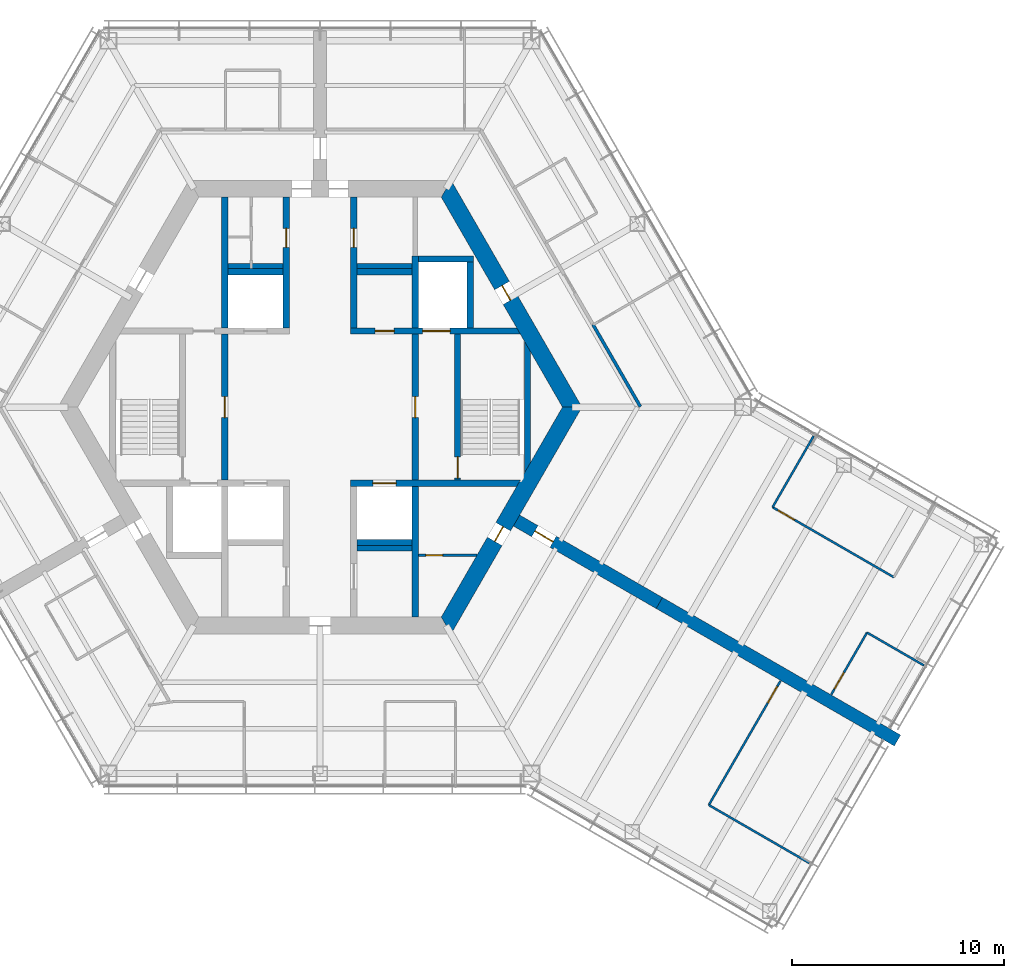
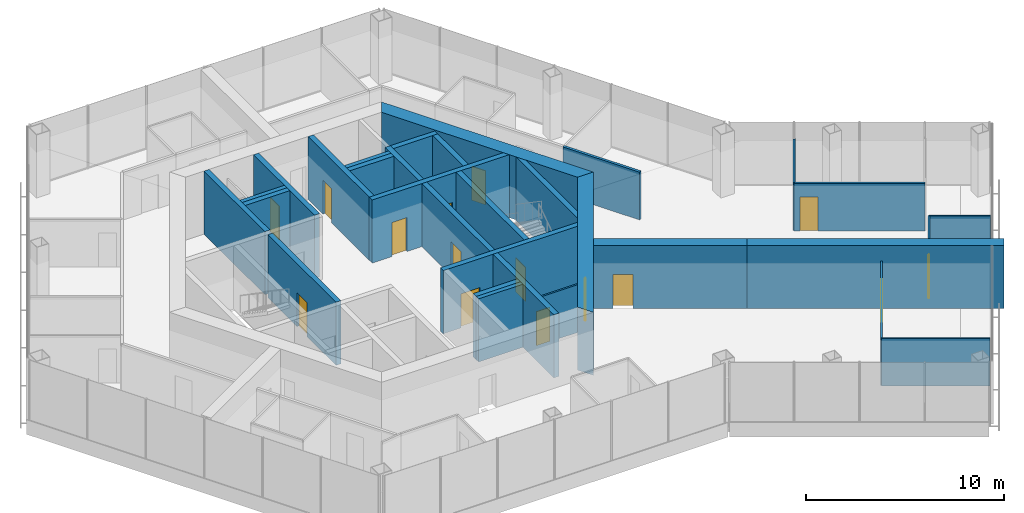
# One storey, part 11 of 16: 31 walls, 15 doors, 15 openings.
"""IFC4 building model written with IfcOpenShell, lengths in metres."""

from ifc_helpers import new_model, si_unit, direction, frame, frame_2d, origin, place, context, subcontext, project, spatial, polyline, rectangle, outline, extrude, material, layer, layer_set, type_object, element, fill, save


model = new_model("IFC4")

# Units and contexts
model_context = context("Model", 3, precision=1e-05, world=origin(), true_north=direction((0.0, 1.0)))
body_context = subcontext(model_context, "Body", "Model", "MODEL_VIEW")
ifc_project = project(units=[si_unit("LENGTHUNIT", "METRE"), si_unit("AREAUNIT", "SQUARE_METRE"), si_unit("VOLUMEUNIT", "CUBIC_METRE"), si_unit("PLANEANGLEUNIT", "RADIAN"), si_unit("MASSUNIT", "GRAM", prefix="KILO")], contexts=[model_context])

# Site, building, storey
site_placement = place(None, origin())
site = spatial("IfcSite", under=ifc_project, at=site_placement, CompositionType="ELEMENT")
building_placement = place(site_placement, origin())
building = spatial("IfcBuilding", under=site, at=building_placement, Name="Kasaneha Research Tower", CompositionType="ELEMENT")
storey_placement = place(building_placement, frame((0.0, 0.0, 259.60009765625)))
storey = spatial("IfcBuildingStorey", under=building, at=storey_placement, Name="L65", CompositionType="ELEMENT", Elevation=259.60009765625)

# Wall, openings, doors
ifc_material_1 = material(Name="Concrete Fc60", Category="concrete")
ifc_layer_1 = layer(ifc_material_1, 0.300048828125)
ifc_layer_set_1 = layer_set([ifc_layer_1], Name="Core internal wall 300 Fc60")
wall_type_1 = type_object("IfcWallType", Name="Core internal wall 300 Fc60", PredefinedType="SHEAR", material=ifc_layer_set_1)
wall_1_placement = place(storey_placement, frame((1.449951171875, 3.60009765625, 0.0), z_axis=(0.0, 0.0, 1.0), x_axis=(1.0, 0.0, 0.0)))
wall_1 = element("IfcWall", 1, at=wall_1_placement, inside=storey, type_object=wall_type_1, Name="Core wall W1E L65", PredefinedType="SHEAR", context=body_context, shape_type="SweptSolid", body=[
    extrude(outline(polyline([(0.0, -0.14990234375), (1.14990234375, -0.14990234375), (2.0498046875, -0.14990234375), (3.39990234375, -0.14990234375), (4.699951171875, -0.14990234375), (8.0185546875, -0.14990234375), (7.84521484375, 0.14990234375), (4.699951171875, 0.14990234375), (3.39990234375, 0.14990234375), (2.0498046875, 0.14990234375), (1.14990234375, 0.14990234375), (0.0, 0.14990234375), (0.0, -0.14990234375)])), origin(), (0.0, 0.0, 1.0), 3.89990234375),
])
opening_1_placement = place(wall_1_placement, frame((1.14990234375, 0.0, 0.0)))
opening_1 = element("IfcOpeningElement", 2, at=opening_1_placement, cuts=wall_1, Name="Opening L65-D17", PredefinedType="OPENING", context=body_context, shape_type="SweptSolid", body=[
    extrude(rectangle(XDim=0.89990234375, YDim=2.10009765625, at=frame_2d((0.449951171875, 1.050048828125))), frame((0.0, 0.16015625, 0.0), z_axis=(0.0, -1.0, 0.0), x_axis=(1.0, 0.0, 0.0)), (0.0, 0.0, 1.0), 0.320068359375),
])
opening_2_placement = place(wall_1_placement, frame((3.39990234375, 0.0, 0.0)))
opening_2 = element("IfcOpeningElement", 3, at=opening_2_placement, cuts=wall_1, Name="Opening LD-FL1-L65", PredefinedType="OPENING", context=body_context, shape_type="SweptSolid", body=[
    extrude(rectangle(XDim=1.300048828125, YDim=2.10009765625, at=frame_2d((0.64990234375, 1.050048828125))), frame((0.0, 0.16015625, 0.0), z_axis=(0.0, -1.0, 0.0), x_axis=(1.0, 0.0, 0.0)), (0.0, 0.0, 1.0), 0.320068359375),
])
ifc_material_2 = material(Name="Steel", Category="steel")
door_type_1 = type_object("IfcDoorType", Name="Lift landing door 1300x2100", OperationType="DOUBLE_DOOR_SLIDING", PredefinedType="DOOR", material=ifc_material_2)
door_1_placement = place(opening_2_placement, origin())
door_1 = element("IfcDoor", 4, at=door_1_placement, inside=storey, type_object=door_type_1, Name="Landing door FL1 LD-FL1-L65", OperationType="DOUBLE_DOOR_SLIDING", OverallHeight=2.10009765625, OverallWidth=1.300048828125, PredefinedType="DOOR", context=body_context, shape_type="SweptSolid", body=[
    extrude(rectangle(XDim=1.300048828125, YDim=2.10009765625, at=frame_2d((0.64990234375, 1.050048828125))), frame((0.0, 0.02490234375, 0.0), z_axis=(0.0, -1.0, 0.0), x_axis=(1.0, 0.0, 0.0)), (0.0, 0.0, 1.0), 0.050048828125),
])
fill(opening_2, door_1)
ifc_material_3 = material(Name="Steel", Category="steel")
door_type_2 = type_object("IfcDoorType", Name="Shaft room door FD60 900x2100", OperationType="NOTDEFINED", PredefinedType="DOOR", material=ifc_material_3)
door_2_placement = place(opening_1_placement, origin())
door_2 = element("IfcDoor", 5, at=door_2_placement, inside=storey, type_object=door_type_2, Name="Archive store door L65-D17", OperationType="SINGLE_SWING_LEFT", OverallHeight=2.10009765625, OverallWidth=0.89990234375, PredefinedType="DOOR", context=body_context, shape_type="SweptSolid", body=[
    extrude(rectangle(XDim=0.89990234375, YDim=2.10009765625, at=frame_2d((0.449951171875, 1.050048828125))), frame((0.0, 0.02490234375, 0.0), z_axis=(0.0, -1.0, 0.0), x_axis=(1.0, 0.0, 0.0)), (0.0, 0.0, 1.0), 0.050048828125),
])
fill(opening_1, door_2)

# Wall, opening, door
wall_2_placement = place(storey_placement, frame((1.449951171875, -3.60009765625, 0.0), z_axis=(0.0, 0.0, 1.0), x_axis=(1.0, 0.0, 0.0)))
wall_2 = element("IfcWall", 6, at=wall_2_placement, inside=storey, type_object=wall_type_1, Name="Core wall W2E L65", PredefinedType="SHEAR", context=body_context, shape_type="SweptSolid", body=[
    extrude(outline(polyline([(0.0, -0.14990234375), (1.050048828125, -0.14990234375), (2.150146484375, -0.14990234375), (7.84521484375, -0.14990234375), (8.0185546875, 0.14990234375), (2.150146484375, 0.14990234375), (1.050048828125, 0.14990234375), (0.0, 0.14990234375), (0.0, -0.14990234375)])), origin(), (0.0, 0.0, 1.0), 3.89990234375),
])
opening_3_placement = place(wall_2_placement, frame((1.050048828125, 0.0, 0.0)))
opening_3 = element("IfcOpeningElement", 7, at=opening_3_placement, cuts=wall_2, Name="Opening LD-LH3-L65", PredefinedType="OPENING", context=body_context, shape_type="SweptSolid", body=[
    extrude(rectangle(XDim=1.10009765625, YDim=2.10009765625, at=frame_2d((0.550048828125, 1.050048828125))), frame((0.0, 0.16015625, 0.0), z_axis=(0.0, -1.0, 0.0), x_axis=(1.0, 0.0, 0.0)), (0.0, 0.0, 1.0), 0.320068359375),
])
ifc_material_4 = material(Name="Steel", Category="steel")
door_type_3 = type_object("IfcDoorType", Name="Lift landing door 1100x2100", OperationType="DOUBLE_DOOR_SLIDING", PredefinedType="DOOR", material=ifc_material_4)
door_3_placement = place(opening_3_placement, origin())
door_3 = element("IfcDoor", 8, at=door_3_placement, inside=storey, type_object=door_type_3, Name="Landing door LH3 LD-LH3-L65", OperationType="DOUBLE_DOOR_SLIDING", OverallHeight=2.10009765625, OverallWidth=1.10009765625, PredefinedType="DOOR", context=body_context, shape_type="SweptSolid", body=[
    extrude(rectangle(XDim=1.10009765625, YDim=2.10009765625, at=frame_2d((0.550048828125, 1.050048828125))), frame((0.0, 0.02490234375, 0.0), z_axis=(0.0, -1.0, 0.0), x_axis=(1.0, 0.0, 0.0)), (0.0, 0.0, 1.0), 0.050048828125),
])
fill(opening_3, door_3)

wall_3_placement = place(storey_placement, frame((-1.60009765625, 3.75, 0.0), z_axis=(0.0, 0.0, 1.0), x_axis=(0.0, 1.0, 0.0)))
wall_3 = element("IfcWall", 9, at=wall_3_placement, inside=storey, type_object=wall_type_1, Name="Core wall CNW L65", PredefinedType="SHEAR", context=body_context, shape_type="SweptSolid", body=[
    extrude(rectangle(XDim=6.175048828125, YDim=0.300048828125, at=frame_2d((3.08740234375, 0.0))), origin(), (0.0, 0.0, 1.0), 3.89990234375),
])
opening_4_placement = place(wall_3_placement, frame((3.800048828125, 0.0, 0.0)))
opening_4 = element("IfcOpeningElement", 10, at=opening_4_placement, cuts=wall_3, Name="Opening L65-D13", PredefinedType="OPENING", context=body_context, shape_type="SweptSolid", body=[
    extrude(rectangle(XDim=0.89990234375, YDim=2.10009765625, at=frame_2d((0.449951171875, 1.050048828125))), frame((0.0, 0.16015625, 0.0), z_axis=(0.0, -1.0, 0.0), x_axis=(1.0, 0.0, 0.0)), (0.0, 0.0, 1.0), 0.320068359375),
])
ifc_material_5 = material(Name="Steel", Category="steel")
door_type_4 = type_object("IfcDoorType", Name="Toilet door FD20 900x2100", OperationType="NOTDEFINED", PredefinedType="DOOR", material=ifc_material_5)
door_4_placement = place(opening_4_placement, origin())
door_4 = element("IfcDoor", 11, at=door_4_placement, inside=storey, type_object=door_type_4, Name="Men's WC door L65-D13", OperationType="SINGLE_SWING_LEFT", OverallHeight=2.10009765625, OverallWidth=0.89990234375, PredefinedType="DOOR", context=body_context, shape_type="SweptSolid", body=[
    extrude(rectangle(XDim=0.89990234375, YDim=2.10009765625, at=frame_2d((0.449951171875, 1.050048828125))), frame((0.0, 0.02490234375, 0.0), z_axis=(0.0, -1.0, 0.0), x_axis=(1.0, 0.0, 0.0)), (0.0, 0.0, 1.0), 0.050048828125),
])
fill(opening_4, door_4)

wall_4_placement = place(storey_placement, frame((1.60009765625, 3.75, 0.0), z_axis=(0.0, 0.0, 1.0), x_axis=(0.0, 1.0, 0.0)))
wall_4 = element("IfcWall", 12, at=wall_4_placement, inside=storey, type_object=wall_type_1, Name="Core wall CNE L65", PredefinedType="SHEAR", context=body_context, shape_type="SweptSolid", body=[
    extrude(rectangle(XDim=6.175048828125, YDim=0.300048828125, at=frame_2d((3.08740234375, 0.0))), origin(), (0.0, 0.0, 1.0), 3.89990234375),
])
opening_5_placement = place(wall_4_placement, frame((3.800048828125, 0.0, 0.0)))
opening_5 = element("IfcOpeningElement", 13, at=opening_5_placement, cuts=wall_4, Name="Opening L65-D14", PredefinedType="OPENING", context=body_context, shape_type="SweptSolid", body=[
    extrude(rectangle(XDim=0.89990234375, YDim=2.10009765625, at=frame_2d((0.449951171875, 1.050048828125))), frame((0.0, 0.16015625, 0.0), z_axis=(0.0, -1.0, 0.0), x_axis=(1.0, 0.0, 0.0)), (0.0, 0.0, 1.0), 0.320068359375),
])
door_5_placement = place(opening_5_placement, origin())
door_5 = element("IfcDoor", 14, at=door_5_placement, inside=storey, type_object=door_type_4, Name="Women's WC door L65-D14", OperationType="SINGLE_SWING_LEFT", OverallHeight=2.10009765625, OverallWidth=0.89990234375, PredefinedType="DOOR", context=body_context, shape_type="SweptSolid", body=[
    extrude(rectangle(XDim=0.89990234375, YDim=2.10009765625, at=frame_2d((0.449951171875, 1.050048828125))), frame((0.0, 0.02490234375, 0.0), z_axis=(0.0, -1.0, 0.0), x_axis=(1.0, 0.0, 0.0)), (0.0, 0.0, 1.0), 0.050048828125),
])
fill(opening_5, door_5)

wall_5_placement = place(storey_placement, frame((-4.5, -3.449951171875, 0.0), z_axis=(0.0, 0.0, 1.0), x_axis=(0.0, 1.0, 0.0)))
wall_5 = element("IfcWall", 15, at=wall_5_placement, inside=storey, type_object=wall_type_1, Name="Core wall LBW L65", PredefinedType="SHEAR", context=body_context, shape_type="SweptSolid", body=[
    extrude(rectangle(XDim=6.89990234375, YDim=0.300048828125, at=frame_2d((3.449951171875, 0.0))), origin(), (0.0, 0.0, 1.0), 3.89990234375),
])
opening_6_placement = place(wall_5_placement, frame((2.949951171875, 0.0, 0.0)))
opening_6 = element("IfcOpeningElement", 16, at=opening_6_placement, cuts=wall_5, Name="Opening L65-D09", PredefinedType="OPENING", context=body_context, shape_type="SweptSolid", body=[
    extrude(rectangle(XDim=1.0, YDim=2.10009765625, at=frame_2d((0.5, 1.050048828125))), frame((0.0, 0.16015625, 0.0), z_axis=(0.0, -1.0, 0.0), x_axis=(1.0, 0.0, 0.0)), (0.0, 0.0, 1.0), 0.320068359375),
])
ifc_material_6 = material(Name="Steel", Category="steel")
door_type_5 = type_object("IfcDoorType", Name="Specified fire door FD60 1000x2100", OperationType="NOTDEFINED", PredefinedType="DOOR", material=ifc_material_6)
door_6_placement = place(opening_6_placement, origin())
door_6 = element("IfcDoor", 17, at=door_6_placement, inside=storey, type_object=door_type_5, Name="Lift lobby door west L65-D09", OperationType="SINGLE_SWING_LEFT", OverallHeight=2.10009765625, OverallWidth=1.0, PredefinedType="DOOR", context=body_context, shape_type="SweptSolid", body=[
    extrude(rectangle(XDim=1.0, YDim=2.10009765625, at=frame_2d((0.5, 1.050048828125))), frame((0.0, 0.02490234375, 0.0), z_axis=(0.0, -1.0, 0.0), x_axis=(1.0, 0.0, 0.0)), (0.0, 0.0, 1.0), 0.050048828125),
])
fill(opening_6, door_6)

wall_6_placement = place(storey_placement, frame((4.5, -3.449951171875, 0.0), z_axis=(0.0, 0.0, 1.0), x_axis=(0.0, 1.0, 0.0)))
wall_6 = element("IfcWall", 18, at=wall_6_placement, inside=storey, type_object=wall_type_1, Name="Core wall LBE L65", PredefinedType="SHEAR", context=body_context, shape_type="SweptSolid", body=[
    extrude(rectangle(XDim=6.89990234375, YDim=0.300048828125, at=frame_2d((3.449951171875, 0.0))), origin(), (0.0, 0.0, 1.0), 3.89990234375),
])
opening_7_placement = place(wall_6_placement, frame((2.949951171875, 0.0, 0.0)))
opening_7 = element("IfcOpeningElement", 19, at=opening_7_placement, cuts=wall_6, Name="Opening L65-D08", PredefinedType="OPENING", context=body_context, shape_type="SweptSolid", body=[
    extrude(rectangle(XDim=1.0, YDim=2.10009765625, at=frame_2d((0.5, 1.050048828125))), frame((0.0, 0.16015625, 0.0), z_axis=(0.0, -1.0, 0.0), x_axis=(1.0, 0.0, 0.0)), (0.0, 0.0, 1.0), 0.320068359375),
])
door_7_placement = place(opening_7_placement, origin())
door_7 = element("IfcDoor", 20, at=door_7_placement, inside=storey, type_object=door_type_5, Name="Lift lobby door east L65-D08", OperationType="SINGLE_SWING_LEFT", OverallHeight=2.10009765625, OverallWidth=1.0, PredefinedType="DOOR", context=body_context, shape_type="SweptSolid", body=[
    extrude(rectangle(XDim=1.0, YDim=2.10009765625, at=frame_2d((0.5, 1.050048828125))), frame((0.0, 0.02490234375, 0.0), z_axis=(0.0, -1.0, 0.0), x_axis=(1.0, 0.0, 0.0)), (0.0, 0.0, 1.0), 0.050048828125),
])
fill(opening_7, door_7)

wall_7_placement = place(storey_placement, frame((6.5, -3.449951171875, 0.0), z_axis=(0.0, 0.0, 1.0), x_axis=(0.0, 1.0, 0.0)))
wall_7 = element("IfcWall", 21, at=wall_7_placement, inside=storey, type_object=wall_type_1, Name="Core wall ANE L65", PredefinedType="SHEAR", context=body_context, shape_type="SweptSolid", body=[
    extrude(rectangle(XDim=6.89990234375, YDim=0.300048828125, at=frame_2d((3.449951171875, 0.0))), origin(), (0.0, 0.0, 1.0), 3.89990234375),
])
opening_8_placement = place(wall_7_placement, frame((0.10009765625, 0.0, 0.0)))
opening_8 = element("IfcOpeningElement", 22, at=opening_8_placement, cuts=wall_7, Name="Opening L65-D10", PredefinedType="OPENING", context=body_context, shape_type="SweptSolid", body=[
    extrude(rectangle(XDim=1.0, YDim=2.10009765625, at=frame_2d((0.5, 1.050048828125))), frame((0.0, 0.16015625, 0.0), z_axis=(0.0, -1.0, 0.0), x_axis=(1.0, 0.0, 0.0)), (0.0, 0.0, 1.0), 0.320068359375),
])
door_8_placement = place(opening_8_placement, origin())
door_8 = element("IfcDoor", 23, at=door_8_placement, inside=storey, type_object=door_type_5, Name="Stair 1 door L65-D10", OperationType="SINGLE_SWING_LEFT", OverallHeight=2.10009765625, OverallWidth=1.0, PredefinedType="DOOR", context=body_context, shape_type="SweptSolid", body=[
    extrude(rectangle(XDim=1.0, YDim=2.10009765625, at=frame_2d((0.5, 1.050048828125))), frame((0.0, 0.02490234375, 0.0), z_axis=(0.0, -1.0, 0.0), x_axis=(1.0, 0.0, 0.0)), (0.0, 0.0, 1.0), 0.050048828125),
])
fill(opening_8, door_8)

# Walls
wall_8_placement = place(storey_placement, frame((-4.5, 3.75, 0.0), z_axis=(0.0, 0.0, 1.0), x_axis=(0.0, 1.0, 0.0)))
element("IfcWall", 24, at=wall_8_placement, inside=storey, type_object=wall_type_1, Name="Core wall VNW L65", PredefinedType="SHEAR", context=body_context, shape_type="SweptSolid", body=[
    extrude(rectangle(XDim=6.175048828125, YDim=0.300048828125, at=frame_2d((3.08740234375, 0.0))), origin(), (0.0, 0.0, 1.0), 3.89990234375),
])
wall_9_placement = place(storey_placement, frame((4.5, 3.75, 0.0), z_axis=(0.0, 0.0, 1.0), x_axis=(0.0, 1.0, 0.0)))
element("IfcWall", 25, at=wall_9_placement, inside=storey, type_object=wall_type_1, Name="Core wall FNE L65", PredefinedType="SHEAR", context=body_context, shape_type="SweptSolid", body=[
    extrude(rectangle(XDim=3.39990234375, YDim=0.300048828125, at=frame_2d((1.699951171875, 0.0))), origin(), (0.0, 0.0, 1.0), 3.89990234375),
])
wall_10_placement = place(storey_placement, frame((4.5, -3.75, 0.0), z_axis=(0.0, 0.0, 1.0), x_axis=(0.0, -1.0, 0.0)))
element("IfcWall", 26, at=wall_10_placement, inside=storey, type_object=wall_type_1, Name="Core wall SSE L65", PredefinedType="SHEAR", context=body_context, shape_type="SweptSolid", body=[
    extrude(rectangle(XDim=6.175048828125, YDim=0.300048828125, at=frame_2d((3.08740234375, 0.0))), origin(), (0.0, 0.0, 1.0), 3.89990234375),
])
for number, where, z_axis, x_axis, name in (
    (27, (-4.35009765625, 6.39990234375, 0.0), (0.0, 0.0, 1.0), (1.0, 0.0, 0.0), "Core wall N1N L65"),
    (28, (1.75, 6.39990234375, 0.0), (0.0, 0.0, 1.0), (1.0, 0.0, 0.0), "Core wall N3N L65"),
    (29, (1.75, -6.39990234375, 0.0), (0.0, 0.0, 1.0), (1.0, 0.0, 0.0), "Core wall S3S L65"),
    (30, (4.64990234375, 7.0, 0.0), (0.0, 0.0, 1.0), (1.0, 0.0, 0.0), "Core wall F1N L65"),
):
    element("IfcWall", number, at=place(storey_placement, frame(where, z_axis=z_axis, x_axis=x_axis)), inside=storey, type_object=wall_type_1, Name=name, PredefinedType="SHEAR", context=body_context, shape_type="SweptSolid", body=[
        extrude(rectangle(XDim=2.60009765625, YDim=0.300048828125, at=frame_2d((1.300048828125, 0.0))), origin(), (0.0, 0.0, 1.0), 3.89990234375),
    ])
wall_11_placement = place(storey_placement, frame((7.10009765625, 3.75, 0.0), z_axis=(0.0, 0.0, 1.0), x_axis=(0.0, 1.0, 0.0)))
element("IfcWall", 31, at=wall_11_placement, inside=storey, type_object=wall_type_1, Name="Core wall F1E L65", PredefinedType="SHEAR", context=body_context, shape_type="SweptSolid", body=[
    extrude(rectangle(XDim=3.10009765625, YDim=0.300048828125, at=frame_2d((1.550048828125, 0.0))), origin(), (0.0, 0.0, 1.0), 3.89990234375),
])
wall_12_placement = place(storey_placement, frame((9.807861328125, -2.8623046875, 0.0), z_axis=(0.0, 0.0, 1.0), x_axis=(0.0, 1.0, 0.0)))
element("IfcWall", 32, at=wall_12_placement, inside=storey, type_object=wall_type_1, Name="Core wall STE L65", PredefinedType="SHEAR", context=body_context, shape_type="SweptSolid", body=[
    extrude(outline(polyline([(0.259765625, -0.14990234375), (5.46484375, -0.14990234375), (5.984375, 0.14990234375), (-0.259765625, 0.14990234375), (0.259765625, -0.14990234375)])), origin(), (0.0, 0.0, 1.0), 3.89990234375),
])

# Wall, opening, door
ifc_material_7 = material(Name="Concrete Fc60", Category="concrete")
ifc_layer_2 = layer(ifc_material_7, 0.800048828125)
ifc_layer_set_2 = layer_set([ifc_layer_2], Name="Core wall 800 Fc60")
wall_type_2 = type_object("IfcWallType", Name="Core wall 800 Fc60", PredefinedType="SHEAR", material=ifc_layer_set_2)
wall_13_placement = place(storey_placement, frame((11.92236328125, 0.0, 0.0), z_axis=(0.0, 0.0, 1.0), x_axis=(-0.500004296715, 0.866022923061, 0.0)))
wall_13 = element("IfcWall", 33, at=wall_13_placement, inside=storey, type_object=wall_type_2, Name="Core wall 030 L65", PredefinedType="SHEAR", context=body_context, shape_type="SweptSolid", body=[
    extrude(outline(polyline([(-0.23095703125, -0.39990234375), (5.83544921875, -0.39990234375), (6.635498046875, -0.39990234375), (12.1533203125, -0.39990234375), (11.69140625, 0.39990234375), (6.635498046875, 0.39990234375), (5.83544921875, 0.39990234375), (0.23095703125, 0.39990234375), (-0.23095703125, -0.39990234375)])), origin(), (0.0, 0.0, 1.0), 3.89990234375),
])
opening_9_placement = place(wall_13_placement, frame((5.83544921875, 0.0, 0.0)))
opening_9 = element("IfcOpeningElement", 34, at=opening_9_placement, cuts=wall_13, Name="Opening L65-D04", PredefinedType="OPENING", context=body_context, shape_type="SweptSolid", body=[
    extrude(rectangle(XDim=0.800048828125, YDim=2.10009765625, at=frame_2d((0.39990234375, 1.050048828125))), frame((0.0, 0.41015625, 0.0), z_axis=(0.0, -1.0, 0.0), x_axis=(1.0, 0.0, 0.0)), (0.0, 0.0, 1.0), 0.820068359375),
])
ifc_material_8 = material(Name="Steel", Category="steel")
door_type_6 = type_object("IfcDoorType", Name="Riser access door FD60 800x2100", OperationType="NOTDEFINED", PredefinedType="DOOR", material=ifc_material_8)
door_9_placement = place(opening_9_placement, origin())
door_9 = element("IfcDoor", 35, at=door_9_placement, inside=storey, type_object=door_type_6, Name="Pipe riser door L65-D04", OperationType="SINGLE_SWING_RIGHT", OverallHeight=2.10009765625, OverallWidth=0.800048828125, PredefinedType="DOOR", context=body_context, shape_type="SweptSolid", body=[
    extrude(rectangle(XDim=0.800048828125, YDim=2.10009765625, at=frame_2d((0.39990234375, 1.050048828125))), frame((0.0, 0.02490234375, 0.0), z_axis=(0.0, -1.0, 0.0), x_axis=(1.0, 0.0, 0.0)), (0.0, 0.0, 1.0), 0.050048828125),
])
fill(opening_9, door_9)

wall_14_placement = place(storey_placement, frame((5.961181640625, -10.324951171875, 0.0), z_axis=(0.0, 0.0, 1.0), x_axis=(0.500004296715, 0.866022923061, 0.0)))
wall_14 = element("IfcWall", 36, at=wall_14_placement, inside=storey, type_object=wall_type_2, Name="Core wall 330 L65", PredefinedType="SHEAR", context=body_context, shape_type="SweptSolid", body=[
    extrude(outline(polyline([(-0.23095703125, -0.39990234375), (4.593994140625, -0.39990234375), (5.39404296875, -0.39990234375), (12.1533203125, -0.39990234375), (11.69140625, 0.39990234375), (5.39404296875, 0.39990234375), (4.593994140625, 0.39990234375), (0.23095703125, 0.39990234375), (-0.23095703125, -0.39990234375)])), origin(), (0.0, 0.0, 1.0), 3.89990234375),
])
opening_10_placement = place(wall_14_placement, frame((4.593994140625, 0.0, 0.0)))
opening_10 = element("IfcOpeningElement", 37, at=opening_10_placement, cuts=wall_14, Name="Opening L65-D05", PredefinedType="OPENING", context=body_context, shape_type="SweptSolid", body=[
    extrude(rectangle(XDim=0.800048828125, YDim=2.10009765625, at=frame_2d((0.39990234375, 1.050048828125))), frame((0.0, 0.41015625, 0.0), z_axis=(0.0, -1.0, 0.0), x_axis=(1.0, 0.0, 0.0)), (0.0, 0.0, 1.0), 0.820068359375),
])
door_10_placement = place(opening_10_placement, origin())
door_10 = element("IfcDoor", 38, at=door_10_placement, inside=storey, type_object=door_type_6, Name="Pipe riser door L65-D05", OperationType="SINGLE_SWING_LEFT", OverallHeight=2.10009765625, OverallWidth=0.800048828125, PredefinedType="DOOR", context=body_context, shape_type="SweptSolid", body=[
    extrude(rectangle(XDim=0.800048828125, YDim=2.10009765625, at=frame_2d((0.39990234375, 1.050048828125))), frame((0.0, 0.02490234375, 0.0), z_axis=(0.0, -1.0, 0.0), x_axis=(1.0, 0.0, 0.0)), (0.0, 0.0, 1.0), 0.050048828125),
])
fill(opening_10, door_10)

ifc_material_9 = material(Name="Gypsum board on steel studs, one layer each side", Category="steel")
ifc_layer_3 = layer(ifc_material_9, 0.10009765625)
ifc_layer_set_3 = layer_set([ifc_layer_3], Name="Office partition 100")
wall_type_3 = type_object("IfcWallType", Name="Office partition 100", PredefinedType="PARTITIONING", material=ifc_layer_set_3)
wall_15_placement = place(storey_placement, frame((4.64990234375, -7.0, 0.0), z_axis=(0.0, 0.0, 1.0), x_axis=(1.0, 0.0, 0.0)))
wall_15 = element("IfcWall", 39, at=wall_15_placement, inside=storey, type_object=wall_type_3, Name="Office partition RS-SE L65", PredefinedType="PARTITIONING", context=body_context, shape_type="SweptSolid", body=[
    extrude(outline(polyline([(0.0, -0.050048828125), (0.35009765625, -0.050048828125), (1.150146484375, -0.050048828125), (2.740234375, -0.050048828125), (2.76904296875, 0.0), (2.77490234375, 0.050048828125), (1.150146484375, 0.050048828125), (0.35009765625, 0.050048828125), (0.0, 0.050048828125), (0.0, -0.050048828125)])), origin(), (0.0, 0.0, 1.0), 2.949951171875),
])
opening_11_placement = place(wall_15_placement, frame((0.35009765625, 0.0, 0.0)))
opening_11 = element("IfcOpeningElement", 40, at=opening_11_placement, cuts=wall_15, Name="Opening L65-D23", PredefinedType="OPENING", context=body_context, shape_type="SweptSolid", body=[
    extrude(rectangle(XDim=0.800048828125, YDim=2.10009765625, at=frame_2d((0.39990234375, 1.050048828125))), frame((0.0, 0.06005859375, 0.0), z_axis=(0.0, -1.0, 0.0), x_axis=(1.0, 0.0, 0.0)), (0.0, 0.0, 1.0), 0.1201171875),
])
door_11_placement = place(opening_11_placement, origin())
door_11 = element("IfcDoor", 41, at=door_11_placement, inside=storey, type_object=door_type_6, Name="Drainage riser door L65-D23", OperationType="SINGLE_SWING_LEFT", OverallHeight=2.10009765625, OverallWidth=0.800048828125, PredefinedType="DOOR", context=body_context, shape_type="SweptSolid", body=[
    extrude(rectangle(XDim=0.800048828125, YDim=2.10009765625, at=frame_2d((0.39990234375, 1.050048828125))), frame((0.0, 0.02490234375, 0.0), z_axis=(0.0, -1.0, 0.0), x_axis=(1.0, 0.0, 0.0)), (0.0, 0.0, 1.0), 0.050048828125),
])
fill(opening_11, door_11)

# Wall
wall_16_placement = place(storey_placement, frame((21.39208984375, -4.729736328125, 0.0), z_axis=(0.0, 0.0, 1.0), x_axis=(0.500043804875, 0.866000111551, 0.0)))
element("IfcWall", 42, at=wall_16_placement, inside=storey, type_object=wall_type_3, Name="Office partition FCE01 L65", PredefinedType="PARTITIONING", context=body_context, shape_type="SweptSolid", body=[
    extrude(rectangle(XDim=3.880126953125, YDim=0.10009765625, at=frame_2d((1.93994140625, 0.0))), origin(), (0.0, 0.0, 1.0), 2.949951171875),
])

# Wall, opening, door
wall_17_placement = place(storey_placement, frame((27.125, -8.03955078125, 0.0), z_axis=(0.0, 0.0, 1.0), x_axis=(-0.866030817826, 0.499990622488, 0.0)))
wall_17 = element("IfcWall", 43, at=wall_17_placement, inside=storey, type_object=wall_type_3, Name="Office partition FCE02 L65", PredefinedType="PARTITIONING", context=body_context, shape_type="SweptSolid", body=[
    extrude(rectangle(XDim=6.619873046875, YDim=0.10009765625, at=frame_2d((3.31005859375, 0.0))), origin(), (0.0, 0.0, 1.0), 2.949951171875),
])
opening_12_placement = place(wall_17_placement, frame((5.419677734375, 0.0, 0.0)))
opening_12 = element("IfcOpeningElement", 44, at=opening_12_placement, cuts=wall_17, Name="Opening L65-D36", PredefinedType="OPENING", context=body_context, shape_type="SweptSolid", body=[
    extrude(rectangle(XDim=0.89990234375, YDim=2.10009765625, at=frame_2d((0.449951171875, 1.050048828125))), frame((0.0, 0.06005859375, 0.0), z_axis=(0.0, -1.0, 0.0), x_axis=(1.0, 0.0, 0.0)), (0.0, 0.0, 1.0), 0.1201171875),
])
ifc_material_10 = material(Name="Timber veneer", Category="wood")
door_type_7 = type_object("IfcDoorType", Name="Office door 900x2100", OperationType="SINGLE_SWING_LEFT", PredefinedType="DOOR", material=ifc_material_10)
door_12_placement = place(opening_12_placement, origin())
door_12 = element("IfcDoor", 45, at=door_12_placement, inside=storey, type_object=door_type_7, Name="Executive office door L65-D36", OperationType="SINGLE_SWING_RIGHT", OverallHeight=2.10009765625, OverallWidth=0.89990234375, PredefinedType="DOOR", context=body_context, shape_type="SweptSolid", body=[
    extrude(rectangle(XDim=0.89990234375, YDim=2.10009765625, at=frame_2d((0.449951171875, 1.050048828125))), frame((0.0, 0.02490234375, 0.0), z_axis=(0.0, -1.0, 0.0), x_axis=(1.0, 0.0, 0.0)), (0.0, 0.0, 1.0), 0.050048828125),
])
fill(opening_12, door_12)

wall_18_placement = place(storey_placement, frame((24.166748046875, -13.5830078125, 0.0), z_axis=(0.0, 0.0, 1.0), x_axis=(0.500007997579, 0.866020786331, 0.0)))
wall_18 = element("IfcWall", 46, at=wall_18_placement, inside=storey, type_object=wall_type_3, Name="Office partition FCE04 L65", PredefinedType="PARTITIONING", context=body_context, shape_type="SweptSolid", body=[
    extrude(rectangle(XDim=3.3798828125, YDim=0.10009765625, at=frame_2d((1.68994140625, 0.0))), origin(), (0.0, 0.0, 1.0), 2.949951171875),
])
opening_13_placement = place(wall_18_placement, frame((0.300048828125, 0.0, 0.0)))
opening_13 = element("IfcOpeningElement", 47, at=opening_13_placement, cuts=wall_18, Name="Opening L65-D37", PredefinedType="OPENING", context=body_context, shape_type="SweptSolid", body=[
    extrude(rectangle(XDim=0.89990234375, YDim=2.10009765625, at=frame_2d((0.449951171875, 1.050048828125))), frame((0.0, 0.06005859375, 0.0), z_axis=(0.0, -1.0, 0.0), x_axis=(1.0, 0.0, 0.0)), (0.0, 0.0, 1.0), 0.1201171875),
])
door_13_placement = place(opening_13_placement, origin())
door_13 = element("IfcDoor", 48, at=door_13_placement, inside=storey, type_object=door_type_7, Name="Workroom door L65-D37", OperationType="SINGLE_SWING_LEFT", OverallHeight=2.10009765625, OverallWidth=0.89990234375, PredefinedType="DOOR", context=body_context, shape_type="SweptSolid", body=[
    extrude(rectangle(XDim=0.89990234375, YDim=2.10009765625, at=frame_2d((0.449951171875, 1.050048828125))), frame((0.0, 0.02490234375, 0.0), z_axis=(0.0, -1.0, 0.0), x_axis=(1.0, 0.0, 0.0)), (0.0, 0.0, 1.0), 0.050048828125),
])
fill(opening_13, door_13)

# Wall
wall_19_placement = place(storey_placement, frame((25.856689453125, -10.656005859375, 0.0), z_axis=(0.0, 0.0, 1.0), x_axis=(0.866036558865, -0.499980678337, 0.0)))
element("IfcWall", 49, at=wall_19_placement, inside=storey, type_object=wall_type_3, Name="Office partition FCE05 L65", PredefinedType="PARTITIONING", context=body_context, shape_type="SweptSolid", body=[
    extrude(rectangle(XDim=3.10986328125, YDim=0.10009765625, at=frame_2d((1.554931640625, 0.0))), origin(), (0.0, 0.0, 1.0), 2.949951171875),
])

# Wall, opening, door
wall_20_placement = place(storey_placement, frame((18.378173828125, -18.80908203125, 0.0), z_axis=(0.0, 0.0, 1.0), x_axis=(0.500019607421, 0.866014083139, 0.0)))
wall_20 = element("IfcWall", 50, at=wall_20_placement, inside=storey, type_object=wall_type_3, Name="Office partition FCS01 L65", PredefinedType="PARTITIONING", context=body_context, shape_type="SweptSolid", body=[
    extrude(rectangle(XDim=6.780029296875, YDim=0.10009765625, at=frame_2d((3.39013671875, 0.0))), origin(), (0.0, 0.0, 1.0), 2.949951171875),
])
opening_14_placement = place(wall_20_placement, frame((5.580078125, 0.0, 0.0)))
opening_14 = element("IfcOpeningElement", 51, at=opening_14_placement, cuts=wall_20, Name="Opening L65-D38", PredefinedType="OPENING", context=body_context, shape_type="SweptSolid", body=[
    extrude(rectangle(XDim=0.89990234375, YDim=2.10009765625, at=frame_2d((0.449951171875, 1.050048828125))), frame((0.0, 0.06005859375, 0.0), z_axis=(0.0, -1.0, 0.0), x_axis=(1.0, 0.0, 0.0)), (0.0, 0.0, 1.0), 0.1201171875),
])
door_14_placement = place(opening_14_placement, origin())
door_14 = element("IfcDoor", 52, at=door_14_placement, inside=storey, type_object=door_type_7, Name="Board meeting room door L65-D38", OperationType="SINGLE_SWING_RIGHT", OverallHeight=2.10009765625, OverallWidth=0.89990234375, PredefinedType="DOOR", context=body_context, shape_type="SweptSolid", body=[
    extrude(rectangle(XDim=0.89990234375, YDim=2.10009765625, at=frame_2d((0.449951171875, 1.050048828125))), frame((0.0, 0.02490234375, 0.0), z_axis=(0.0, -1.0, 0.0), x_axis=(1.0, 0.0, 0.0)), (0.0, 0.0, 1.0), 0.050048828125),
])
fill(opening_14, door_14)

# Wall
wall_21_placement = place(storey_placement, frame((23.1240234375, -21.549072265625, 0.0), z_axis=(0.0, 0.0, 1.0), x_axis=(-0.866027562125, 0.499996261625, 0.0)))
element("IfcWall", 53, at=wall_21_placement, inside=storey, type_object=wall_type_3, Name="Office partition FCS02 L65", PredefinedType="PARTITIONING", context=body_context, shape_type="SweptSolid", body=[
    extrude(rectangle(XDim=5.47998046875, YDim=0.10009765625, at=frame_2d((2.739990234375, 0.0))), origin(), (0.0, 0.0, 1.0), 2.949951171875),
])

# Wall, opening, door
ifc_material_11 = material(Name="Concrete Fc60", Category="concrete")
ifc_layer_4 = layer(ifc_material_11, 0.60009765625)
ifc_layer_set_4 = layer_set([ifc_layer_4], Name="Spine wall 600 Fc60")
wall_type_4 = type_object("IfcWallType", Name="Spine wall 600 Fc60", PredefinedType="SHEAR", material=ifc_layer_set_4)
wall_22_placement = place(storey_placement, frame((9.2880859375, -5.362548828125, 0.0), z_axis=(0.0, 0.0, 1.0), x_axis=(0.866031736626, -0.499989031036, 0.0)))
wall_22 = element("IfcWall", 54, at=wall_22_placement, inside=storey, type_object=wall_type_4, Name="Spine wall C L65", PredefinedType="SHEAR", context=body_context, shape_type="SweptSolid", body=[
    extrude(rectangle(XDim=7.795654296875, YDim=0.60009765625, at=frame_2d((3.89794921875, 0.0))), origin(), (0.0, 0.0, 1.0), 3.89990234375),
])
opening_15_placement = place(wall_22_placement, frame((1.0, 0.0, 0.0)))
opening_15 = element("IfcOpeningElement", 55, at=opening_15_placement, cuts=wall_22, Name="Opening L65-D20", PredefinedType="OPENING", context=body_context, shape_type="SweptSolid", body=[
    extrude(rectangle(XDim=1.0, YDim=2.10009765625, at=frame_2d((0.5, 1.050048828125))), frame((0.0, 0.31005859375, 0.0), z_axis=(0.0, -1.0, 0.0), x_axis=(1.0, 0.0, 0.0)), (0.0, 0.0, 1.0), 0.6201171875),
])
door_15_placement = place(opening_15_placement, origin())
door_15 = element("IfcDoor", 56, at=door_15_placement, inside=storey, type_object=door_type_5, Name="Spine doorway C L65-D20", OperationType="SINGLE_SWING_LEFT", OverallHeight=2.10009765625, OverallWidth=1.0, PredefinedType="DOOR", context=body_context, shape_type="SweptSolid", body=[
    extrude(rectangle(XDim=1.0, YDim=2.10009765625, at=frame_2d((0.5, 1.050048828125))), frame((0.0, 0.02490234375, 0.0), z_axis=(0.0, -1.0, 0.0), x_axis=(1.0, 0.0, 0.0)), (0.0, 0.0, 1.0), 0.050048828125),
])
fill(opening_15, door_15)

# Walls
wall_23_placement = place(storey_placement, frame((16.039306640625, -9.26025390625, 0.0), z_axis=(0.0, 0.0, 1.0), x_axis=(0.866024837091, -0.50000098154, 0.0)))
element("IfcWall", 57, at=wall_23_placement, inside=storey, type_object=wall_type_4, Name="Spine wall C wing L65", PredefinedType="SHEAR", context=body_context, shape_type="SweptSolid", body=[
    extrude(rectangle(XDim=13.0, YDim=0.60009765625, at=frame_2d((6.5, 0.0))), origin(), (0.0, 0.0, 1.0), 3.89990234375),
])
ifc_material_12 = material(Name="Gypsum board on steel studs, two layers each side", Category="steel")
ifc_layer_5 = layer(ifc_material_12, 0.14990234375)
ifc_layer_set_5 = layer_set([ifc_layer_5], Name="Suite partition 150")
wall_type_5 = type_object("IfcWallType", Name="Suite partition 150", PredefinedType="PARTITIONING", material=ifc_layer_set_5)
wall_24_placement = place(storey_placement, frame((12.90283203125, 3.90185546875, 0.0), z_axis=(0.0, 0.0, 1.0), x_axis=(0.499964488425, -0.866045905431, 0.0)))
element("IfcWall", 58, at=wall_24_placement, inside=storey, type_object=wall_type_5, Name="Suite partition FAE02 L65", PredefinedType="PARTITIONING", context=body_context, shape_type="SweptSolid", body=[
    extrude(rectangle(XDim=4.482177734375, YDim=0.14990234375, at=frame_2d((2.2412109375, 0.0))), origin(), (0.0, 0.0, 1.0), 2.949951171875),
])
ifc_material_13 = material(Name="Concrete block lining", Category="concrete")
ifc_layer_6 = layer(ifc_material_13, 0.25)
ifc_layer_set_6 = layer_set([ifc_layer_6], Name="WC plumbing wall 250")
wall_type_6 = type_object("IfcWallType", Name="WC plumbing wall 250", PredefinedType="PLUMBINGWALL", material=ifc_layer_set_6)
for number, where, z_axis, x_axis, name in (
    (59, (-4.35009765625, 6.675048828125, 0.0), (0.0, 0.0, 1.0), (1.0, 0.0, 0.0), "WC plumbing wall M L65"),
    (60, (1.75, 6.675048828125, 0.0), (0.0, 0.0, 1.0), (1.0, 0.0, 0.0), "WC plumbing wall F L65"),
    (61, (1.75, -6.675048828125, 0.0), (0.0, 0.0, 1.0), (1.0, 0.0, 0.0), "WC plumbing wall A L65"),
):
    element("IfcWall", number, at=place(storey_placement, frame(where, z_axis=z_axis, x_axis=x_axis)), inside=storey, type_object=wall_type_6, Name=name, PredefinedType="PLUMBINGWALL", context=body_context, shape_type="SweptSolid", body=[
        extrude(rectangle(XDim=2.60009765625, YDim=0.25, at=frame_2d((1.300048828125, 0.0))), origin(), (0.0, 0.0, 1.0), 3.89990234375),
    ])

save(model, "model.ifc")
